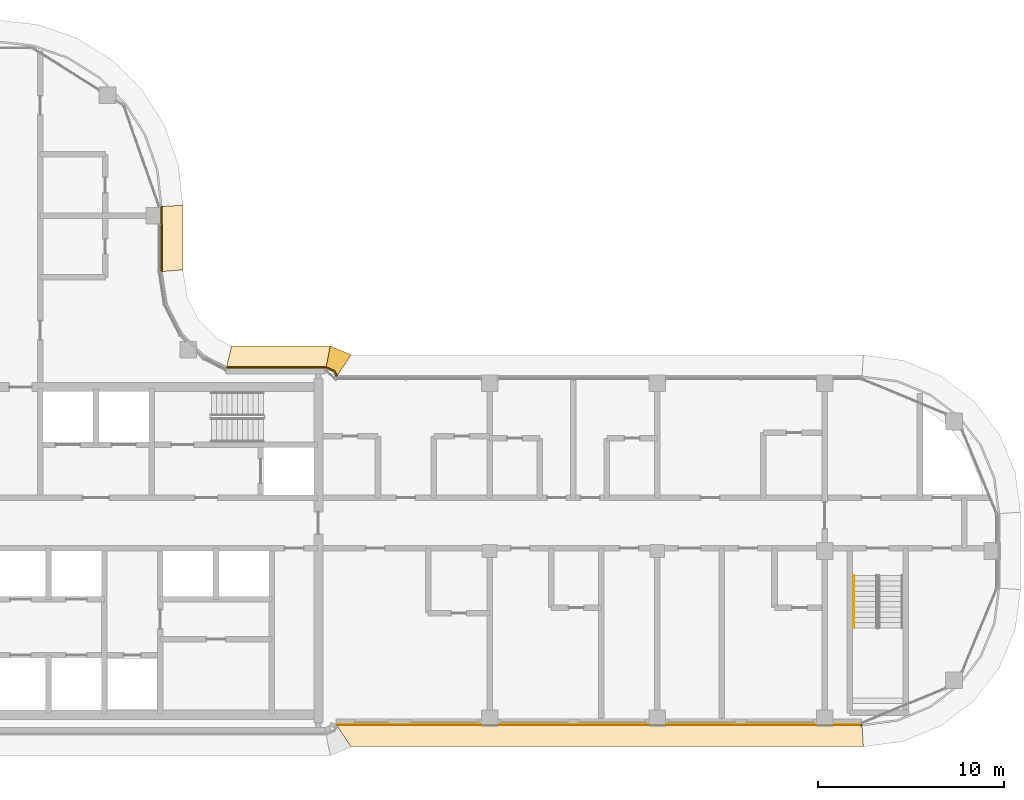
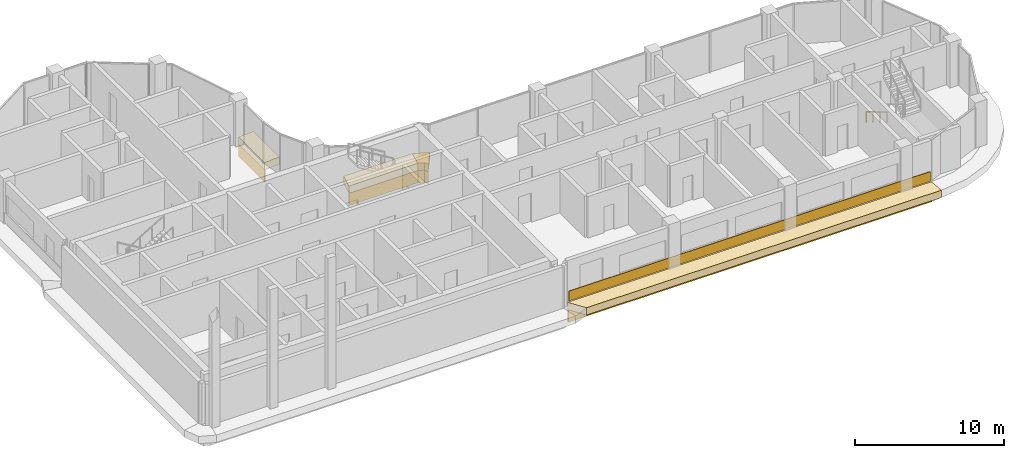
# One storey, part 18 of 20: 9 coverings, 1 railing.
"""IFC4 building model written with IfcOpenShell, lengths in metres."""

from ifc_helpers import new_model, si_unit, direction, frame, origin, origin_2d, place, context, subcontext, project, spatial, polyline, rectangle, circle, outline, extrude, material, layer, layer_set, type_object, element, save


model = new_model("IFC4")

# Units and contexts
model_context = context("Model", 3, precision=1e-05, world=origin(), true_north=direction((0.0, 1.0)))
body_context = subcontext(model_context, "Body", "Model", "MODEL_VIEW")
ifc_project = project(units=[si_unit("LENGTHUNIT", "METRE"), si_unit("AREAUNIT", "SQUARE_METRE"), si_unit("VOLUMEUNIT", "CUBIC_METRE"), si_unit("PLANEANGLEUNIT", "RADIAN"), si_unit("MASSUNIT", "GRAM", prefix="KILO")], contexts=[model_context])

# Site, building, storey
site_placement = place(None, origin())
site = spatial("IfcSite", under=ifc_project, at=site_placement, CompositionType="ELEMENT")
building_placement = place(site_placement, origin())
building = spatial("IfcBuilding", under=site, at=building_placement, Name="Ogive Portal Towers", CompositionType="ELEMENT")
storey_placement = place(building_placement, frame((0.0, 0.0, 214.300048828125)))
storey = spatial("IfcBuildingStorey", under=building, at=storey_placement, Name="L53", CompositionType="ELEMENT", Elevation=214.300048828125)

# Railing
ifc_material_1 = material(Name="Stainless steel handrail", Category="steel")
railing_type = type_object("IfcRailingType", Name="INT-HANDRAIL", PredefinedType="HANDRAIL", material=ifc_material_1)
railing_placement = place(storey_placement, frame((87.050048828125, 29.169921875, 0.168212890625)))
element("IfcRailing", 1, at=railing_placement, inside=storey, type_object=railing_type, Name="L53 ST-A4 stair handrail 1", PredefinedType="HANDRAIL", context=body_context, shape_type="SweptSolid", body=[
    extrude(circle(Radius=0.02392578125, at=origin_2d()), frame((0.0, 0.0, 0.8759765625), z_axis=(0.0, -0.857255387014, 0.514891446264), x_axis=(1.0, 0.0, 0.0)), (0.0, 0.0, 1.0), 3.26611328125),
    extrude(circle(Radius=0.02099609375, at=origin_2d()), origin(), (0.0, 0.0, 1.0), 0.851806640625),
    extrude(circle(Radius=0.02099609375, at=origin_2d()), frame((0.0, -0.933349609375, 0.560546875)), (0.0, 0.0, 1.0), 0.851806640625),
    extrude(circle(Radius=0.02099609375, at=origin_2d()), frame((0.0, -1.866455078125, 1.12109375)), (0.0, 0.0, 1.0), 0.851806640625),
    extrude(circle(Radius=0.02099609375, at=origin_2d()), frame((0.0, -2.7998046875, 1.681640625)), (0.0, 0.0, 1.0), 0.851806640625),
])

# Coverings
ifc_material_2 = material(Name="Limestone cladding on lightweight block wall", Category="masonry")
ifc_layer_1 = layer(ifc_material_2, 0.050048828125)
ifc_layer_set_1 = layer_set([ifc_layer_1], Name="SCREEN PERFORATED STONE")
covering_type_1 = type_object("IfcCoveringType", Name="SCREEN PERFORATED STONE", PredefinedType="CLADDING", material=ifc_layer_set_1)
covering_1_placement = place(storey_placement, frame((73.3671875, 21.155029296875, 0.10009765625), z_axis=(0.0, 0.0, 1.0), x_axis=(1.0, 0.0, 0.0)))
element("IfcCovering", 2, at=covering_1_placement, inside=storey, type_object=covering_type_1, Name="Tracery screen", PredefinedType="CLADDING", context=body_context, shape_type="SweptSolid", body=[
    extrude(rectangle(XDim=28.03369140625, YDim=0.050048828125, at=origin_2d()), origin(), (0.0, 0.0, 1.0), 0.800048828125),
])
ifc_layer_2 = layer(ifc_material_2, 0.080078125)
ifc_layer_set_2 = layer_set([ifc_layer_2], Name="STONE SPANDREL 80")
covering_type_2 = type_object("IfcCoveringType", Name="STONE SPANDREL 80", PredefinedType="CLADDING", material=ifc_layer_set_2)
covering_2_placement = place(storey_placement, frame((0.0, 0.0, -1.60009765625)))
element("IfcCovering", 3, at=covering_2_placement, inside=storey, type_object=covering_type_2, Name="Stone spandrel A1-F01", PredefinedType="CLADDING", context=body_context, shape_type="SweptSolid", body=[
    extrude(outline(polyline([(59.250244140625, 39.820068359375), (59.124267578125, 40.124267578125), (58.699951171875, 40.300048828125), (58.7158203125, 40.3798828125), (59.185546875, 40.185546875), (59.3037109375, 39.89990234375), (59.250244140625, 39.820068359375)])), origin(), (0.0, 0.0, 1.0), 1.0),
])
covering_3_placement = place(storey_placement, frame((0.0, 0.0, -1.60009765625)))
element("IfcCovering", 4, at=covering_3_placement, inside=storey, type_object=covering_type_2, Name="Stone spandrel A1-F02", PredefinedType="CLADDING", context=body_context, shape_type="SweptSolid", body=[
    extrude(outline(polyline([(58.699951171875, 40.300048828125), (53.348388671875, 40.300048828125), (53.367431640625, 40.3798828125), (58.7158203125, 40.3798828125), (58.699951171875, 40.300048828125)])), origin(), (0.0, 0.0, 1.0), 1.0),
])
covering_4_placement = place(storey_placement, frame((0.0, 0.0, -1.60009765625)))
element("IfcCovering", 5, at=covering_4_placement, inside=storey, type_object=covering_type_2, Name="Stone spandrel A1-F04", PredefinedType="CLADDING", context=body_context, shape_type="SweptSolid", body=[
    extrude(outline(polyline([(49.820068359375, 45.5), (49.820068359375, 49.0), (49.89990234375, 49.00439453125), (49.89990234375, 45.50634765625), (49.820068359375, 45.5)])), origin(), (0.0, 0.0, 1.0), 1.0),
])
covering_5_placement = place(storey_placement, frame((0.0, 0.0, -1.60009765625)))
element("IfcCovering", 6, at=covering_5_placement, inside=storey, type_object=covering_type_2, Name="Stone spandrel A1-F12", PredefinedType="CLADDING", context=body_context, shape_type="SweptSolid", body=[
    extrude(outline(polyline([(59.250244140625, 21.179931640625), (87.5, 21.179931640625), (87.505126953125, 21.10009765625), (59.3037109375, 21.10009765625), (59.250244140625, 21.179931640625)])), origin(), (0.0, 0.0, 1.0), 1.0),
])
ifc_layer_3 = layer(ifc_material_2, 0.60009765625)
ifc_layer_set_3 = layer_set([ifc_layer_3], Name="SUNSHADE LIP 600")
covering_type_3 = type_object("IfcCoveringType", Name="SUNSHADE LIP 600", PredefinedType="CLADDING", material=ifc_layer_set_3)
covering_6_placement = place(storey_placement, frame((0.0, 0.0, -0.60009765625)))
element("IfcCovering", 7, at=covering_6_placement, inside=storey, type_object=covering_type_3, Name="Sunshade lip A1-F01", PredefinedType="CLADDING", context=body_context, shape_type="SweptSolid", body=[
    extrude(outline(polyline([(59.250244140625, 39.820068359375), (59.124267578125, 40.124267578125), (58.699951171875, 40.300048828125), (58.938720703125, 41.5), (60.042724609375, 41.042724609375), (60.052001953125, 41.02001953125), (59.250244140625, 39.820068359375)])), origin(), (0.0, 0.0, 1.0), 0.60009765625),
])
covering_7_placement = place(storey_placement, frame((0.0, 0.0, -0.60009765625)))
element("IfcCovering", 8, at=covering_7_placement, inside=storey, type_object=covering_type_3, Name="Sunshade lip A1-F02", PredefinedType="CLADDING", context=body_context, shape_type="SweptSolid", body=[
    extrude(outline(polyline([(58.699951171875, 40.300048828125), (53.348388671875, 40.300048828125), (53.636474609375, 41.5), (58.938720703125, 41.5), (58.699951171875, 40.300048828125)])), origin(), (0.0, 0.0, 1.0), 0.60009765625),
])
covering_8_placement = place(storey_placement, frame((0.0, 0.0, -0.60009765625)))
element("IfcCovering", 9, at=covering_8_placement, inside=storey, type_object=covering_type_3, Name="Sunshade lip A1-F04", PredefinedType="CLADDING", context=body_context, shape_type="SweptSolid", body=[
    extrude(outline(polyline([(49.820068359375, 45.5), (49.820068359375, 49.0), (51.02001953125, 49.0673828125), (51.02001953125, 45.594482421875), (49.820068359375, 45.5)])), origin(), (0.0, 0.0, 1.0), 0.60009765625),
])
covering_9_placement = place(storey_placement, frame((0.0, 0.0, -0.60009765625)))
element("IfcCovering", 10, at=covering_9_placement, inside=storey, type_object=covering_type_3, Name="Sunshade lip A1-F12", PredefinedType="CLADDING", context=body_context, shape_type="SweptSolid", body=[
    extrude(outline(polyline([(59.250244140625, 21.179931640625), (87.5, 21.179931640625), (87.57861328125, 19.97998046875), (60.052001953125, 19.97998046875), (59.250244140625, 21.179931640625)])), origin(), (0.0, 0.0, 1.0), 0.60009765625),
])

save(model, "model.ifc")
